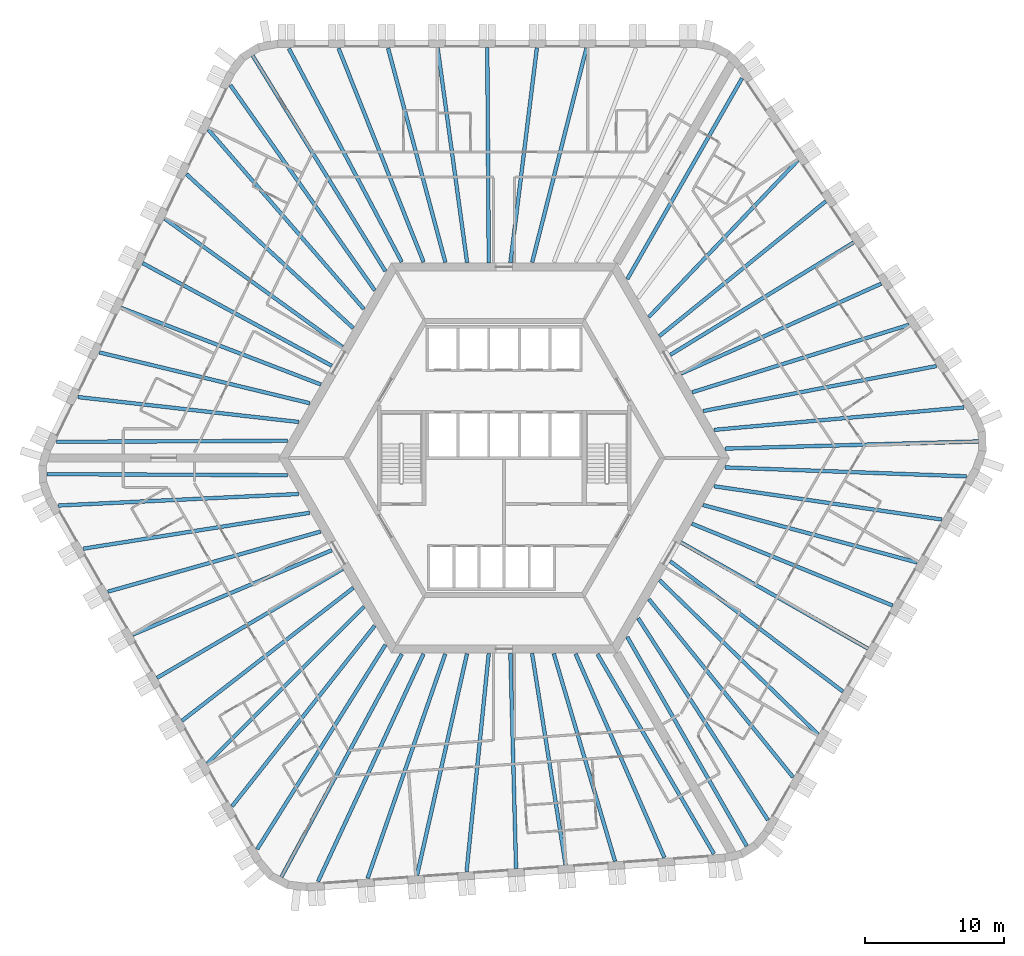
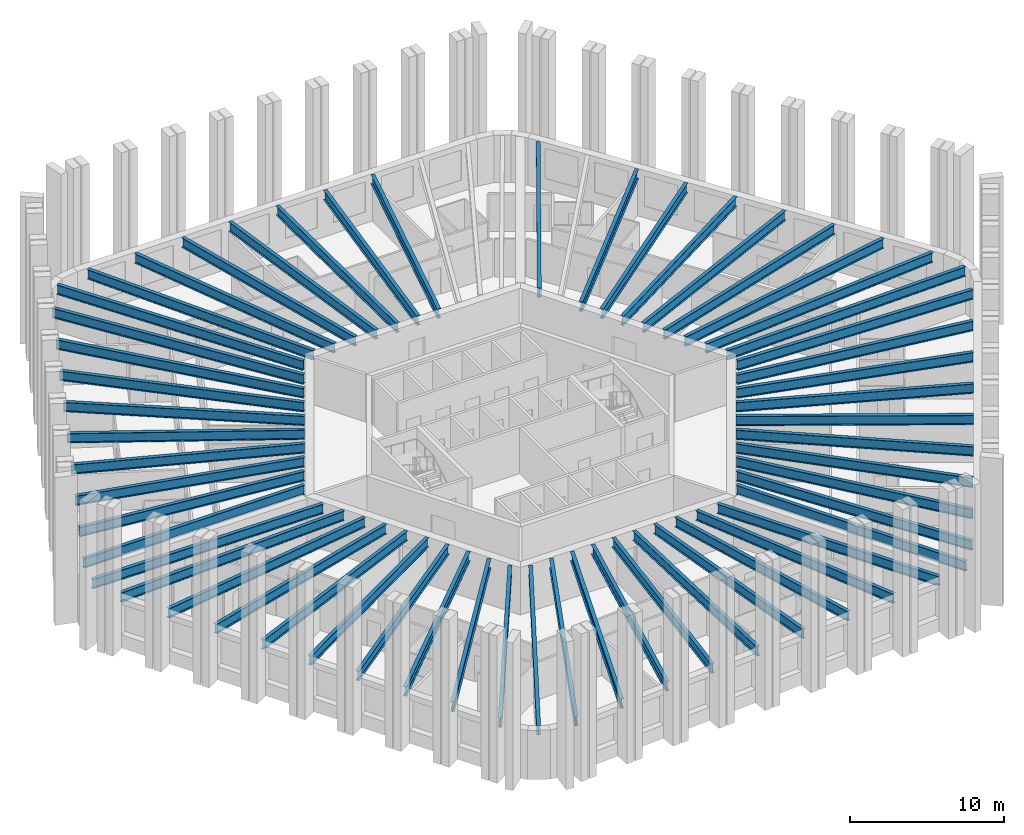
# One storey, part 1 of 12: 56 beams.
"""IFC4 building model written with IfcOpenShell, lengths in metres."""

from ifc_helpers import new_model, si_unit, direction, frame, origin, origin_2d, place, context, subcontext, project, spatial, i_section, extrude, material, material_profile, profile_set, type_object, element, save


model = new_model("IFC4")

# Units and contexts
model_context = context("Model", 3, precision=1e-05, world=origin(), true_north=direction((0.0, 1.0)))
body_context = subcontext(model_context, "Body", "Model", "MODEL_VIEW")
ifc_project = project(units=[si_unit("LENGTHUNIT", "METRE"), si_unit("AREAUNIT", "SQUARE_METRE"), si_unit("VOLUMEUNIT", "CUBIC_METRE"), si_unit("PLANEANGLEUNIT", "RADIAN"), si_unit("MASSUNIT", "GRAM", prefix="KILO")], contexts=[model_context])

# Site, building, storey
site_placement = place(None, origin())
site = spatial("IfcSite", under=ifc_project, at=site_placement, CompositionType="ELEMENT")
building_placement = place(site_placement, origin())
building = spatial("IfcBuilding", under=site, at=building_placement, Name="Tarnside Tower", CompositionType="ELEMENT")
storey_placement = place(building_placement, frame((0.0, 0.0, 37.5)))
storey = spatial("IfcBuildingStorey", under=building, at=storey_placement, Name="L06", CompositionType="ELEMENT", Elevation=37.5)

# Beams
ifc_material = material(Name="Steel S355", Category="steel")
ifc_material_profile_1 = material_profile(ifc_material, i_section(OverallWidth=0.26513671875, OverallDepth=0.75390625, WebThickness=0.0126953125, FlangeThickness=0.017578125, FilletRadius=0.0166015625, at=origin_2d()), Name="UB 762x267x147")
ifc_profile_set_1 = profile_set([ifc_material_profile_1], Name="Steel S355")
beam_type_1 = type_object("IfcBeamType", Name="Floor beam UB 762x267x147", PredefinedType="BEAM", material=ifc_profile_set_1)
beam_1_placement = place(storey_placement, frame((2.3525390625, 29.43017578125, 3.373046875), z_axis=(-0.122329629165, -0.992489527314, 0.0), x_axis=(0.992489527314, -0.122329629165, 0.0)))
element("IfcBeam", 1, at=beam_1_placement, inside=storey, type_object=beam_type_1, Name="Floor beam F1.04", PredefinedType="BEAM", context=body_context, shape_type="SweptSolid", body=[
    extrude(i_section(OverallWidth=0.26513671875, OverallDepth=0.75390625, WebThickness=0.0126953125, FlangeThickness=0.017578125, FilletRadius=0.0166015625, at=origin_2d()), origin(), (0.0, 0.0, 1.0), 15.527099609375),
])
beam_2_placement = place(storey_placement, frame((-1.208984375, 29.449951171875, 3.373046875), z_axis=(0.007000128723, -0.999975498799, 0.0), x_axis=(0.999975498799, 0.007000128723, 0.0)))
element("IfcBeam", 2, at=beam_2_placement, inside=storey, type_object=beam_type_1, Name="Floor beam F1.05", PredefinedType="BEAM", context=body_context, shape_type="SweptSolid", body=[
    extrude(i_section(OverallWidth=0.26513671875, OverallDepth=0.75390625, WebThickness=0.0126953125, FlangeThickness=0.017578125, FilletRadius=0.0166015625, at=origin_2d()), origin(), (0.0, 0.0, 1.0), 15.450439453125),
])
beam_3_placement = place(storey_placement, frame((-4.7705078125, 29.43017578125, 3.373046875), z_axis=(0.136000560933, -0.990708760144, 0.0), x_axis=(0.990708760144, 0.136000560933, 0.0)))
element("IfcBeam", 3, at=beam_3_placement, inside=storey, type_object=beam_type_1, Name="Floor beam F1.06", PredefinedType="BEAM", context=body_context, shape_type="SweptSolid", body=[
    extrude(i_section(OverallWidth=0.26513671875, OverallDepth=0.75390625, WebThickness=0.0126953125, FlangeThickness=0.017578125, FilletRadius=0.0166015625, at=origin_2d()), origin(), (0.0, 0.0, 1.0), 15.554931640625),
])
beam_4_placement = place(storey_placement, frame((-24.348876953125, 17.168212890625, 3.373046875), z_axis=(0.811027744825, -0.585007689799, 0.0), x_axis=(0.585007689799, 0.811027744825, 0.0)))
element("IfcBeam", 4, at=beam_4_placement, inside=storey, type_object=beam_type_1, Name="Floor beam F2.04", PredefinedType="BEAM", context=body_context, shape_type="SweptSolid", body=[
    extrude(i_section(OverallWidth=0.26513671875, OverallDepth=0.75390625, WebThickness=0.0126953125, FlangeThickness=0.017578125, FilletRadius=0.0166015625, at=origin_2d()), origin(), (0.0, 0.0, 1.0), 15.731689453125),
])
beam_5_placement = place(storey_placement, frame((-25.92626953125, 13.978271484375, 3.373046875), z_axis=(0.878894567679, -0.477016078245, 0.0), x_axis=(0.477016078245, 0.878894567679, 0.0)))
element("IfcBeam", 5, at=beam_5_placement, inside=storey, type_object=beam_type_1, Name="Floor beam F2.05", PredefinedType="BEAM", context=body_context, shape_type="SweptSolid", body=[
    extrude(i_section(OverallWidth=0.26513671875, OverallDepth=0.75390625, WebThickness=0.0126953125, FlangeThickness=0.017578125, FilletRadius=0.0166015625, at=origin_2d()), origin(), (0.0, 0.0, 1.0), 15.427490234375),
])
beam_6_placement = place(storey_placement, frame((-27.487548828125, 10.77734375, 3.373046875), z_axis=(0.933617702452, -0.358270827264, 0.0), x_axis=(0.358270827264, 0.933617702452, 0.0)))
element("IfcBeam", 6, at=beam_6_placement, inside=storey, type_object=beam_type_1, Name="Floor beam F2.06", PredefinedType="BEAM", context=body_context, shape_type="SweptSolid", body=[
    extrude(i_section(OverallWidth=0.26513671875, OverallDepth=0.75390625, WebThickness=0.0126953125, FlangeThickness=0.017578125, FilletRadius=0.0166015625, at=origin_2d()), origin(), (0.0, 0.0, 1.0), 15.363037109375),
])
beam_7_placement = place(storey_placement, frame((-29.029296875, 7.572509765625, 3.373046875), z_axis=(0.972101750991, -0.234559556873, 0.0), x_axis=(0.234559556873, 0.972101750991, 0.0)))
element("IfcBeam", 7, at=beam_7_placement, inside=storey, type_object=beam_type_1, Name="Floor beam F2.07", PredefinedType="BEAM", context=body_context, shape_type="SweptSolid", body=[
    extrude(i_section(OverallWidth=0.26513671875, OverallDepth=0.75390625, WebThickness=0.0126953125, FlangeThickness=0.017578125, FilletRadius=0.0166015625, at=origin_2d()), origin(), (0.0, 0.0, 1.0), 15.522216796875),
])
beam_8_placement = place(storey_placement, frame((-26.66357421875, -12.677734375, 3.373046875), z_axis=(0.920684021494, 0.390308765679, 0.0), x_axis=(-0.390308765679, 0.920684021494, 0.0)))
element("IfcBeam", 8, at=beam_8_placement, inside=storey, type_object=beam_type_1, Name="Floor beam F3.04", PredefinedType="BEAM", context=body_context, shape_type="SweptSolid", body=[
    extrude(i_section(OverallWidth=0.26513671875, OverallDepth=0.75390625, WebThickness=0.0126953125, FlangeThickness=0.017578125, FilletRadius=0.0166015625, at=origin_2d()), origin(), (0.0, 0.0, 1.0), 15.52685546875),
])
beam_9_placement = place(storey_placement, frame((-24.89990234375, -15.772216796875, 3.373046875), z_axis=(0.862497502004, 0.506061319443, 0.0), x_axis=(-0.506061319443, 0.862497502004, 0.0)))
element("IfcBeam", 9, at=beam_9_placement, inside=storey, type_object=beam_type_1, Name="Floor beam F3.05", PredefinedType="BEAM", context=body_context, shape_type="SweptSolid", body=[
    extrude(i_section(OverallWidth=0.26513671875, OverallDepth=0.75390625, WebThickness=0.0126953125, FlangeThickness=0.017578125, FilletRadius=0.0166015625, at=origin_2d()), origin(), (0.0, 0.0, 1.0), 15.450439453125),
])
beam_10_placement = place(storey_placement, frame((-23.10205078125, -18.846435546875, 3.373046875), z_axis=(0.789983963813, 0.613127504617, 0.0), x_axis=(-0.613127504617, 0.789983963813, 0.0)))
element("IfcBeam", 10, at=beam_10_placement, inside=storey, type_object=beam_type_1, Name="Floor beam F3.06", PredefinedType="BEAM", context=body_context, shape_type="SweptSolid", body=[
    extrude(i_section(OverallWidth=0.26513671875, OverallDepth=0.75390625, WebThickness=0.0126953125, FlangeThickness=0.017578125, FilletRadius=0.0166015625, at=origin_2d()), origin(), (0.0, 0.0, 1.0), 15.554931640625),
])
beam_11_placement = place(storey_placement, frame((-2.693603515625, -29.6708984375, 3.373046875), z_axis=(0.101123115756, 0.994873919379, 0.0), x_axis=(-0.994873919379, 0.101123115756, 0.0)))
element("IfcBeam", 11, at=beam_11_placement, inside=storey, type_object=beam_type_1, Name="Floor beam F4.04", PredefinedType="BEAM", context=body_context, shape_type="SweptSolid", body=[
    extrude(i_section(OverallWidth=0.26513671875, OverallDepth=0.75390625, WebThickness=0.0126953125, FlangeThickness=0.017578125, FilletRadius=0.0166015625, at=origin_2d()), origin(), (0.0, 0.0, 1.0), 15.7314453125),
])
beam_12_placement = place(storey_placement, frame((0.857666015625, -29.44189453125, 3.373046875), z_axis=(-0.026333316788, 0.999653218085, 0.0), x_axis=(-0.999653218085, -0.026333316788, 0.0)))
element("IfcBeam", 12, at=beam_12_placement, inside=storey, type_object=beam_type_1, Name="Floor beam F4.05", PredefinedType="BEAM", context=body_context, shape_type="SweptSolid", body=[
    extrude(i_section(OverallWidth=0.26513671875, OverallDepth=0.75390625, WebThickness=0.0126953125, FlangeThickness=0.017578125, FilletRadius=0.0166015625, at=origin_2d()), origin(), (0.0, 0.0, 1.0), 15.42724609375),
])
beam_13_placement = place(storey_placement, frame((4.41015625, -29.193603515625, 3.373046875), z_axis=(-0.156513375907, 0.98767583911, 0.0), x_axis=(-0.98767583911, -0.156513375907, 0.0)))
element("IfcBeam", 13, at=beam_13_placement, inside=storey, type_object=beam_type_1, Name="Floor beam F4.06", PredefinedType="BEAM", context=body_context, shape_type="SweptSolid", body=[
    extrude(i_section(OverallWidth=0.26513671875, OverallDepth=0.75390625, WebThickness=0.0126953125, FlangeThickness=0.017578125, FilletRadius=0.0166015625, at=origin_2d()), origin(), (0.0, 0.0, 1.0), 15.36328125),
])
beam_14_placement = place(storey_placement, frame((7.956787109375, -28.926513671875, 3.373046875), z_axis=(-0.282920694328, 0.959143305623, 0.0), x_axis=(-0.959143305623, -0.282920694328, 0.0)))
element("IfcBeam", 14, at=beam_14_placement, inside=storey, type_object=beam_type_1, Name="Floor beam F4.07", PredefinedType="BEAM", context=body_context, shape_type="SweptSolid", body=[
    extrude(i_section(OverallWidth=0.26513671875, OverallDepth=0.75390625, WebThickness=0.0126953125, FlangeThickness=0.017578125, FilletRadius=0.0166015625, at=origin_2d()), origin(), (0.0, 0.0, 1.0), 15.5224609375),
])
beam_15_placement = place(storey_placement, frame((24.31103515625, -16.75244140625, 3.373046875), z_axis=(-0.798361152727, 0.602178935049, 0.0), x_axis=(-0.602178935049, -0.798361152727, 0.0)))
element("IfcBeam", 15, at=beam_15_placement, inside=storey, type_object=beam_type_1, Name="Floor beam F5.04", PredefinedType="BEAM", context=body_context, shape_type="SweptSolid", body=[
    extrude(i_section(OverallWidth=0.26513671875, OverallDepth=0.75390625, WebThickness=0.0126953125, FlangeThickness=0.017578125, FilletRadius=0.0166015625, at=origin_2d()), origin(), (0.0, 0.0, 1.0), 15.527099609375),
])
beam_16_placement = place(storey_placement, frame((26.10888671875, -13.677978515625, 3.373046875), z_axis=(-0.869502520992, 0.493928502911, 0.0), x_axis=(-0.493928502911, -0.869502520992, 0.0)))
element("IfcBeam", 16, at=beam_16_placement, inside=storey, type_object=beam_type_1, Name="Floor beam F5.05", PredefinedType="BEAM", context=body_context, shape_type="SweptSolid", body=[
    extrude(i_section(OverallWidth=0.26513671875, OverallDepth=0.75390625, WebThickness=0.0126953125, FlangeThickness=0.017578125, FilletRadius=0.0166015625, at=origin_2d()), origin(), (0.0, 0.0, 1.0), 15.4501953125),
])
beam_17_placement = place(storey_placement, frame((27.87255859375, -10.58349609375, 3.373046875), z_axis=(-0.925981621163, 0.377568586177, 0.0), x_axis=(-0.377568586177, -0.925981621163, 0.0)))
element("IfcBeam", 17, at=beam_17_placement, inside=storey, type_object=beam_type_1, Name="Floor beam F5.06", PredefinedType="BEAM", context=body_context, shape_type="SweptSolid", body=[
    extrude(i_section(OverallWidth=0.26513671875, OverallDepth=0.75390625, WebThickness=0.0126953125, FlangeThickness=0.017578125, FilletRadius=0.0166015625, at=origin_2d()), origin(), (0.0, 0.0, 1.0), 15.554931640625),
])
beam_18_placement = place(storey_placement, frame((27.04248046875, 12.502685546875, 3.373046875), z_axis=(-0.912146413919, -0.409864513681, 0.0), x_axis=(0.409864513681, -0.912146413919, 0.0)))
element("IfcBeam", 18, at=beam_18_placement, inside=storey, type_object=beam_type_1, Name="Floor beam F6.04", PredefinedType="BEAM", context=body_context, shape_type="SweptSolid", body=[
    extrude(i_section(OverallWidth=0.26513671875, OverallDepth=0.75390625, WebThickness=0.0126953125, FlangeThickness=0.017578125, FilletRadius=0.0166015625, at=origin_2d()), origin(), (0.0, 0.0, 1.0), 15.7314453125),
])
beam_19_placement = place(storey_placement, frame((25.068603515625, 15.463623046875, 3.373046875), z_axis=(-0.852558490017, -0.522631821744, 0.0), x_axis=(0.522631821744, -0.852558490017, 0.0)))
element("IfcBeam", 19, at=beam_19_placement, inside=storey, type_object=beam_type_1, Name="Floor beam F6.05", PredefinedType="BEAM", context=body_context, shape_type="SweptSolid", body=[
    extrude(i_section(OverallWidth=0.26513671875, OverallDepth=0.75390625, WebThickness=0.0126953125, FlangeThickness=0.017578125, FilletRadius=0.0166015625, at=origin_2d()), origin(), (0.0, 0.0, 1.0), 15.42724609375),
])
beam_20_placement = place(storey_placement, frame((23.0771484375, 18.416259765625, 3.373046875), z_axis=(-0.777079423039, -0.629402550272, 0.0), x_axis=(0.629402550272, -0.777079423039, 0.0)))
element("IfcBeam", 20, at=beam_20_placement, inside=storey, type_object=beam_type_1, Name="Floor beam F6.06", PredefinedType="BEAM", context=body_context, shape_type="SweptSolid", body=[
    extrude(i_section(OverallWidth=0.26513671875, OverallDepth=0.75390625, WebThickness=0.0126953125, FlangeThickness=0.017578125, FilletRadius=0.0166015625, at=origin_2d()), origin(), (0.0, 0.0, 1.0), 15.36328125),
])
beam_21_placement = place(storey_placement, frame((21.072509765625, 21.35400390625, 3.373046875), z_axis=(-0.689174694318, -0.724595225427, 0.0), x_axis=(0.724595225427, -0.689174694318, 0.0)))
element("IfcBeam", 21, at=beam_21_placement, inside=storey, type_object=beam_type_1, Name="Floor beam F6.07", PredefinedType="BEAM", context=body_context, shape_type="SweptSolid", body=[
    extrude(i_section(OverallWidth=0.26513671875, OverallDepth=0.75390625, WebThickness=0.0126953125, FlangeThickness=0.017578125, FilletRadius=0.0166015625, at=origin_2d()), origin(), (0.0, 0.0, 1.0), 15.522216796875),
])
ifc_material_profile_2 = material_profile(ifc_material, i_section(OverallWidth=0.2666015625, OverallDepth=0.76220703125, WebThickness=0.014404296875, FlangeThickness=0.021484375, FilletRadius=0.0166015625, at=origin_2d()), Name="UB 762x267x173")
ifc_profile_set_2 = profile_set([ifc_material_profile_2], Name="Steel S355")
beam_type_2 = type_object("IfcBeamType", Name="Floor beam UB 762x267x173", PredefinedType="BEAM", material=ifc_profile_set_2)
beam_22_placement = place(storey_placement, frame((5.909423828125, 29.4111328125, 3.368896484375), z_axis=(-0.245747281389, -0.969333933013, 0.0), x_axis=(0.969333933013, -0.245747281389, 0.0)))
element("IfcBeam", 22, at=beam_22_placement, inside=storey, type_object=beam_type_2, Name="Floor beam F1.03", PredefinedType="BEAM", context=body_context, shape_type="SweptSolid", body=[
    extrude(i_section(OverallWidth=0.2666015625, OverallDepth=0.76220703125, WebThickness=0.014404296875, FlangeThickness=0.021484375, FilletRadius=0.0166015625, at=origin_2d()), origin(), (0.0, 0.0, 1.0), 15.858642578125),
])
beam_23_placement = place(storey_placement, frame((-8.3271484375, 29.411376953125, 3.368896484375), z_axis=(0.258447478572, -0.966025310652, 0.0), x_axis=(0.966025310652, 0.258447478572, 0.0)))
element("IfcBeam", 23, at=beam_23_placement, inside=storey, type_object=beam_type_2, Name="Floor beam F1.07", PredefinedType="BEAM", context=body_context, shape_type="SweptSolid", body=[
    extrude(i_section(OverallWidth=0.2666015625, OverallDepth=0.76220703125, WebThickness=0.014404296875, FlangeThickness=0.021484375, FilletRadius=0.0166015625, at=origin_2d()), origin(), (0.0, 0.0, 1.0), 15.91357421875),
])
beam_24_placement = place(storey_placement, frame((-11.87939453125, 29.394287109375, 3.368896484375), z_axis=(0.369638204477, -0.929175762593, 0.0), x_axis=(0.929175762593, 0.369638204477, 0.0)))
element("IfcBeam", 24, at=beam_24_placement, inside=storey, type_object=beam_type_2, Name="Floor beam F1.08", PredefinedType="BEAM", context=body_context, shape_type="SweptSolid", body=[
    extrude(i_section(OverallWidth=0.2666015625, OverallDepth=0.76220703125, WebThickness=0.014404296875, FlangeThickness=0.021484375, FilletRadius=0.0166015625, at=origin_2d()), origin(), (0.0, 0.0, 1.0), 16.507568359375),
])
beam_25_placement = place(storey_placement, frame((-15.44580078125, 29.37939453125, 3.368896484375), z_axis=(0.467741993634, -0.883865050441, 0.0), x_axis=(0.883865050441, 0.467741993634, 0.0)))
element("IfcBeam", 25, at=beam_25_placement, inside=storey, type_object=beam_type_2, Name="Floor beam F1.09", PredefinedType="BEAM", context=body_context, shape_type="SweptSolid", body=[
    extrude(i_section(OverallWidth=0.2666015625, OverallDepth=0.76220703125, WebThickness=0.014404296875, FlangeThickness=0.021484375, FilletRadius=0.0166015625, at=origin_2d()), origin(), (0.0, 0.0, 1.0), 17.320068359375),
])
beam_26_placement = place(storey_placement, frame((-18.042236328125, 28.8701171875, 3.368896484375), z_axis=(0.524382977035, -0.851482526771, 0.0), x_axis=(0.851482526771, 0.524382977035, 0.0)))
element("IfcBeam", 26, at=beam_26_placement, inside=storey, type_object=beam_type_2, Name="Floor beam C1", PredefinedType="BEAM", context=body_context, shape_type="SweptSolid", body=[
    extrude(i_section(OverallWidth=0.2666015625, OverallDepth=0.76220703125, WebThickness=0.014404296875, FlangeThickness=0.021484375, FilletRadius=0.0166015625, at=origin_2d()), origin(), (0.0, 0.0, 1.0), 18.1728515625),
])
beam_27_placement = place(storey_placement, frame((-19.638671875, 26.75537109375, 3.368896484375), z_axis=(0.575411427849, -0.817864101609, 0.0), x_axis=(0.817864101609, 0.575411427849, 0.0)))
element("IfcBeam", 27, at=beam_27_placement, inside=storey, type_object=beam_type_2, Name="Floor beam F2.01", PredefinedType="BEAM", context=body_context, shape_type="SweptSolid", body=[
    extrude(i_section(OverallWidth=0.2666015625, OverallDepth=0.76220703125, WebThickness=0.014404296875, FlangeThickness=0.021484375, FilletRadius=0.0166015625, at=origin_2d()), origin(), (0.0, 0.0, 1.0), 18.00048828125),
])
beam_28_placement = place(storey_placement, frame((-21.21630859375, 23.554931640625, 3.368896484375), z_axis=(0.654980748073, -0.755645564834, 0.0), x_axis=(0.755645564834, 0.654980748073, 0.0)))
element("IfcBeam", 28, at=beam_28_placement, inside=storey, type_object=beam_type_2, Name="Floor beam F2.02", PredefinedType="BEAM", context=body_context, shape_type="SweptSolid", body=[
    extrude(i_section(OverallWidth=0.2666015625, OverallDepth=0.76220703125, WebThickness=0.014404296875, FlangeThickness=0.021484375, FilletRadius=0.0166015625, at=origin_2d()), origin(), (0.0, 0.0, 1.0), 17.0302734375),
])
beam_29_placement = place(storey_placement, frame((-22.7890625, 20.368408203125, 3.368896484375), z_axis=(0.734715474517, -0.678375391288, 0.0), x_axis=(0.678375391288, 0.734715474517, 0.0)))
element("IfcBeam", 29, at=beam_29_placement, inside=storey, type_object=beam_type_2, Name="Floor beam F2.03", PredefinedType="BEAM", context=body_context, shape_type="SweptSolid", body=[
    extrude(i_section(OverallWidth=0.2666015625, OverallDepth=0.76220703125, WebThickness=0.014404296875, FlangeThickness=0.021484375, FilletRadius=0.0166015625, at=origin_2d()), origin(), (0.0, 0.0, 1.0), 16.2802734375),
])
beam_30_placement = place(storey_placement, frame((-30.570556640625, 4.372802734375, 3.368896484375), z_axis=(0.993687302776, -0.112185312326, 0.0), x_axis=(0.112185312326, 0.993687302776, 0.0)))
element("IfcBeam", 30, at=beam_30_placement, inside=storey, type_object=beam_type_2, Name="Floor beam F2.08", PredefinedType="BEAM", context=body_context, shape_type="SweptSolid", body=[
    extrude(i_section(OverallWidth=0.2666015625, OverallDepth=0.76220703125, WebThickness=0.014404296875, FlangeThickness=0.021484375, FilletRadius=0.0166015625, at=origin_2d()), origin(), (0.0, 0.0, 1.0), 15.934326171875),
])
beam_31_placement = place(storey_placement, frame((-32.119384765625, 1.162109375, 3.368896484375), z_axis=(0.999990508787, 0.004356872304, 0.0), x_axis=(-0.004356872304, 0.999990508787, 0.0)))
element("IfcBeam", 31, at=beam_31_placement, inside=storey, type_object=beam_type_2, Name="Floor beam F2.09", PredefinedType="BEAM", context=body_context, shape_type="SweptSolid", body=[
    extrude(i_section(OverallWidth=0.2666015625, OverallDepth=0.76220703125, WebThickness=0.014404296875, FlangeThickness=0.021484375, FilletRadius=0.0166015625, at=origin_2d()), origin(), (0.0, 0.0, 1.0), 16.586669921875),
])
beam_32_placement = place(storey_placement, frame((-32.80712890625, -1.1572265625, 3.368896484375), z_axis=(0.999990027056, -0.004466070929, 0.0), x_axis=(0.004466070929, 0.999990027056, 0.0)))
element("IfcBeam", 32, at=beam_32_placement, inside=storey, type_object=beam_type_2, Name="Floor beam C2", PredefinedType="BEAM", context=body_context, shape_type="SweptSolid", body=[
    extrude(i_section(OverallWidth=0.2666015625, OverallDepth=0.76220703125, WebThickness=0.014404296875, FlangeThickness=0.021484375, FilletRadius=0.0166015625, at=origin_2d()), origin(), (0.0, 0.0, 1.0), 17.2744140625),
])
beam_33_placement = place(storey_placement, frame((-31.95703125, -3.406494140625, 3.368896484375), z_axis=(0.998853818522, 0.047864905982, 0.0), x_axis=(-0.047864905982, 0.998853818522, 0.0)))
element("IfcBeam", 33, at=beam_33_placement, inside=storey, type_object=beam_type_2, Name="Floor beam F3.01", PredefinedType="BEAM", context=body_context, shape_type="SweptSolid", body=[
    extrude(i_section(OverallWidth=0.2666015625, OverallDepth=0.76220703125, WebThickness=0.014404296875, FlangeThickness=0.021484375, FilletRadius=0.0166015625, at=origin_2d()), origin(), (0.0, 0.0, 1.0), 17.2197265625),
])
beam_34_placement = place(storey_placement, frame((-30.18701171875, -6.502685546875, 3.368896484375), z_axis=(0.987678477078, 0.156496728136, 0.0), x_axis=(-0.156496728136, 0.987678477078, 0.0)))
element("IfcBeam", 34, at=beam_34_placement, inside=storey, type_object=beam_type_2, Name="Floor beam F3.02", PredefinedType="BEAM", context=body_context, shape_type="SweptSolid", body=[
    extrude(i_section(OverallWidth=0.2666015625, OverallDepth=0.76220703125, WebThickness=0.014404296875, FlangeThickness=0.021484375, FilletRadius=0.0166015625, at=origin_2d()), origin(), (0.0, 0.0, 1.0), 16.4287109375),
])
beam_35_placement = place(storey_placement, frame((-28.425537109375, -9.587890625, 3.368896484375), z_axis=(0.962342240503, 0.271840784547, 0.0), x_axis=(-0.271840784547, 0.962342240503, 0.0)))
element("IfcBeam", 35, at=beam_35_placement, inside=storey, type_object=beam_type_2, Name="Floor beam F3.03", PredefinedType="BEAM", context=body_context, shape_type="SweptSolid", body=[
    extrude(i_section(OverallWidth=0.2666015625, OverallDepth=0.76220703125, WebThickness=0.014404296875, FlangeThickness=0.021484375, FilletRadius=0.0166015625, at=origin_2d()), origin(), (0.0, 0.0, 1.0), 15.858642578125),
])
beam_36_placement = place(storey_placement, frame((-21.307373046875, -21.917236328125, 3.368896484375), z_axis=(0.707367544857, 0.706845921318, 0.0), x_axis=(-0.706845921318, 0.707367544857, 0.0)))
element("IfcBeam", 36, at=beam_36_placement, inside=storey, type_object=beam_type_2, Name="Floor beam F3.07", PredefinedType="BEAM", context=body_context, shape_type="SweptSolid", body=[
    extrude(i_section(OverallWidth=0.2666015625, OverallDepth=0.76220703125, WebThickness=0.014404296875, FlangeThickness=0.021484375, FilletRadius=0.0166015625, at=origin_2d()), origin(), (0.0, 0.0, 1.0), 15.913330078125),
])
beam_37_placement = place(storey_placement, frame((-19.516357421875, -24.985107421875, 3.368896484375), z_axis=(0.619872995007, 0.784702153725, 0.0), x_axis=(-0.784702153725, 0.619872995007, 0.0)))
element("IfcBeam", 37, at=beam_37_placement, inside=storey, type_object=beam_type_2, Name="Floor beam F3.08", PredefinedType="BEAM", context=body_context, shape_type="SweptSolid", body=[
    extrude(i_section(OverallWidth=0.2666015625, OverallDepth=0.76220703125, WebThickness=0.014404296875, FlangeThickness=0.021484375, FilletRadius=0.0166015625, at=origin_2d()), origin(), (0.0, 0.0, 1.0), 16.507568359375),
])
beam_38_placement = place(storey_placement, frame((-17.72021484375, -28.066162109375, 3.368896484375), z_axis=(0.531583085704, 0.847006152866, 0.0), x_axis=(-0.847006152866, 0.531583085704, 0.0)))
element("IfcBeam", 38, at=beam_38_placement, inside=storey, type_object=beam_type_2, Name="Floor beam F3.09", PredefinedType="BEAM", context=body_context, shape_type="SweptSolid", body=[
    extrude(i_section(OverallWidth=0.2666015625, OverallDepth=0.76220703125, WebThickness=0.014404296875, FlangeThickness=0.021484375, FilletRadius=0.0166015625, at=origin_2d()), origin(), (0.0, 0.0, 1.0), 17.320068359375),
])
beam_39_placement = place(storey_placement, frame((-15.981201171875, -30.060302734375, 3.368896484375), z_axis=(0.475208200571, 0.879873380726, 0.0), x_axis=(-0.879873380726, 0.475208200571, 0.0)))
element("IfcBeam", 39, at=beam_39_placement, inside=storey, type_object=beam_type_2, Name="Floor beam C3", PredefinedType="BEAM", context=body_context, shape_type="SweptSolid", body=[
    extrude(i_section(OverallWidth=0.2666015625, OverallDepth=0.76220703125, WebThickness=0.014404296875, FlangeThickness=0.021484375, FilletRadius=0.0166015625, at=origin_2d()), origin(), (0.0, 0.0, 1.0), 18.173095703125),
])
beam_40_placement = place(storey_placement, frame((-13.3515625, -30.38525390625, 3.368896484375), z_axis=(0.42059199668, 0.907249895193, 0.0), x_axis=(-0.907249895193, 0.42059199668, 0.0)))
element("IfcBeam", 40, at=beam_40_placement, inside=storey, type_object=beam_type_2, Name="Floor beam F4.01", PredefinedType="BEAM", context=body_context, shape_type="SweptSolid", body=[
    extrude(i_section(OverallWidth=0.2666015625, OverallDepth=0.76220703125, WebThickness=0.014404296875, FlangeThickness=0.021484375, FilletRadius=0.0166015625, at=origin_2d()), origin(), (0.0, 0.0, 1.0), 18.000244140625),
])
beam_41_placement = place(storey_placement, frame((-9.791015625, -30.151123046875, 3.368896484375), z_axis=(0.326912128872, 0.945054739153, 0.0), x_axis=(-0.945054739153, 0.326912128872, 0.0)))
element("IfcBeam", 41, at=beam_41_placement, inside=storey, type_object=beam_type_2, Name="Floor beam F4.02", PredefinedType="BEAM", context=body_context, shape_type="SweptSolid", body=[
    extrude(i_section(OverallWidth=0.2666015625, OverallDepth=0.76220703125, WebThickness=0.014404296875, FlangeThickness=0.021484375, FilletRadius=0.0166015625, at=origin_2d()), origin(), (0.0, 0.0, 1.0), 17.0302734375),
])
beam_42_placement = place(storey_placement, frame((-6.2451171875, -29.920166015625, 3.368896484375), z_axis=(0.220139818673, 0.975468328668, 0.0), x_axis=(-0.975468328668, 0.220139818673, 0.0)))
element("IfcBeam", 42, at=beam_42_placement, inside=storey, type_object=beam_type_2, Name="Floor beam F4.03", PredefinedType="BEAM", context=body_context, shape_type="SweptSolid", body=[
    extrude(i_section(OverallWidth=0.2666015625, OverallDepth=0.76220703125, WebThickness=0.014404296875, FlangeThickness=0.021484375, FilletRadius=0.0166015625, at=origin_2d()), origin(), (0.0, 0.0, 1.0), 16.280517578125),
])
beam_43_placement = place(storey_placement, frame((11.498291015625, -28.6611328125, 3.368896484375), z_axis=(-0.399695682658, 0.916647893831, 0.0), x_axis=(-0.916647893831, -0.399695682658, 0.0)))
element("IfcBeam", 43, at=beam_43_placement, inside=storey, type_object=beam_type_2, Name="Floor beam F4.08", PredefinedType="BEAM", context=body_context, shape_type="SweptSolid", body=[
    extrude(i_section(OverallWidth=0.2666015625, OverallDepth=0.76220703125, WebThickness=0.014404296875, FlangeThickness=0.021484375, FilletRadius=0.0166015625, at=origin_2d()), origin(), (0.0, 0.0, 1.0), 15.934326171875),
])
beam_44_placement = place(storey_placement, frame((15.05322265625, -28.3974609375, 3.368896484375), z_axis=(-0.503758455062, 0.86384455717, 0.0), x_axis=(-0.86384455717, -0.503758455062, 0.0)))
element("IfcBeam", 44, at=beam_44_placement, inside=storey, type_object=beam_type_2, Name="Floor beam F4.09", PredefinedType="BEAM", context=body_context, shape_type="SweptSolid", body=[
    extrude(i_section(OverallWidth=0.2666015625, OverallDepth=0.76220703125, WebThickness=0.014404296875, FlangeThickness=0.021484375, FilletRadius=0.0166015625, at=origin_2d()), origin(), (0.0, 0.0, 1.0), 16.586669921875),
])
beam_45_placement = place(storey_placement, frame((17.40576171875, -27.833251953125, 3.368896484375), z_axis=(-0.496126762138, 0.868250099851, 0.0), x_axis=(-0.868250099851, -0.496126762138, 0.0)))
element("IfcBeam", 45, at=beam_45_placement, inside=storey, type_object=beam_type_2, Name="Floor beam C4", PredefinedType="BEAM", context=body_context, shape_type="SweptSolid", body=[
    extrude(i_section(OverallWidth=0.2666015625, OverallDepth=0.76220703125, WebThickness=0.014404296875, FlangeThickness=0.021484375, FilletRadius=0.0166015625, at=origin_2d()), origin(), (0.0, 0.0, 1.0), 17.2744140625),
])
beam_46_placement = place(storey_placement, frame((18.9287109375, -25.972412109375, 3.368896484375), z_axis=(-0.540872954463, 0.841104302171, 0.0), x_axis=(-0.841104302171, -0.540872954463, 0.0)))
element("IfcBeam", 46, at=beam_46_placement, inside=storey, type_object=beam_type_2, Name="Floor beam F5.01", PredefinedType="BEAM", context=body_context, shape_type="SweptSolid", body=[
    extrude(i_section(OverallWidth=0.2666015625, OverallDepth=0.76220703125, WebThickness=0.014404296875, FlangeThickness=0.021484375, FilletRadius=0.0166015625, at=origin_2d()), origin(), (0.0, 0.0, 1.0), 17.2197265625),
])
beam_47_placement = place(storey_placement, frame((20.72509765625, -22.89111328125, 3.368896484375), z_axis=(-0.62939015525, 0.777089462336, 0.0), x_axis=(-0.777089462336, -0.62939015525, 0.0)))
element("IfcBeam", 47, at=beam_47_placement, inside=storey, type_object=beam_type_2, Name="Floor beam F5.02", PredefinedType="BEAM", context=body_context, shape_type="SweptSolid", body=[
    extrude(i_section(OverallWidth=0.2666015625, OverallDepth=0.76220703125, WebThickness=0.014404296875, FlangeThickness=0.021484375, FilletRadius=0.0166015625, at=origin_2d()), origin(), (0.0, 0.0, 1.0), 16.4287109375),
])
beam_48_placement = place(storey_placement, frame((22.51611328125, -19.8232421875, 3.368896484375), z_axis=(-0.716594696052, 0.697489814686, 0.0), x_axis=(-0.697489814686, -0.716594696052, 0.0)))
element("IfcBeam", 48, at=beam_48_placement, inside=storey, type_object=beam_type_2, Name="Floor beam F5.03", PredefinedType="BEAM", context=body_context, shape_type="SweptSolid", body=[
    extrude(i_section(OverallWidth=0.2666015625, OverallDepth=0.76220703125, WebThickness=0.014404296875, FlangeThickness=0.021484375, FilletRadius=0.0166015625, at=origin_2d()), origin(), (0.0, 0.0, 1.0), 15.858642578125),
])
beam_49_placement = place(storey_placement, frame((29.634521484375, -7.494140625, 3.368896484375), z_axis=(-0.965827851395, 0.259184415946, 0.0), x_axis=(-0.259184415946, -0.965827851395, 0.0)))
element("IfcBeam", 49, at=beam_49_placement, inside=storey, type_object=beam_type_2, Name="Floor beam F5.07", PredefinedType="BEAM", context=body_context, shape_type="SweptSolid", body=[
    extrude(i_section(OverallWidth=0.2666015625, OverallDepth=0.76220703125, WebThickness=0.014404296875, FlangeThickness=0.021484375, FilletRadius=0.0166015625, at=origin_2d()), origin(), (0.0, 0.0, 1.0), 15.913330078125),
])
beam_50_placement = place(storey_placement, frame((31.39599609375, -4.4091796875, 3.368896484375), z_axis=(-0.989507887412, 0.144478859177, 0.0), x_axis=(-0.144478859177, -0.989507887412, 0.0)))
element("IfcBeam", 50, at=beam_50_placement, inside=storey, type_object=beam_type_2, Name="Floor beam F5.08", PredefinedType="BEAM", context=body_context, shape_type="SweptSolid", body=[
    extrude(i_section(OverallWidth=0.2666015625, OverallDepth=0.76220703125, WebThickness=0.014404296875, FlangeThickness=0.021484375, FilletRadius=0.0166015625, at=origin_2d()), origin(), (0.0, 0.0, 1.0), 16.507568359375),
])
beam_51_placement = place(storey_placement, frame((33.166259765625, -1.31298828125, 3.368896484375), z_axis=(-0.999320941149, 0.036846391708, 0.0), x_axis=(-0.036846391708, -0.999320941149, 0.0)))
element("IfcBeam", 51, at=beam_51_placement, inside=storey, type_object=beam_type_2, Name="Floor beam F5.09", PredefinedType="BEAM", context=body_context, shape_type="SweptSolid", body=[
    extrude(i_section(OverallWidth=0.2666015625, OverallDepth=0.76220703125, WebThickness=0.014404296875, FlangeThickness=0.021484375, FilletRadius=0.0166015625, at=origin_2d()), origin(), (0.0, 0.0, 1.0), 17.320068359375),
])
beam_52_placement = place(storey_placement, frame((34.0234375, 1.18994140625, 3.368896484375), z_axis=(-0.999597013499, -0.028386803343, 0.0), x_axis=(0.028386803343, -0.999597013499, 0.0)))
element("IfcBeam", 52, at=beam_52_placement, inside=storey, type_object=beam_type_2, Name="Floor beam C5", PredefinedType="BEAM", context=body_context, shape_type="SweptSolid", body=[
    extrude(i_section(OverallWidth=0.2666015625, OverallDepth=0.76220703125, WebThickness=0.014404296875, FlangeThickness=0.021484375, FilletRadius=0.0166015625, at=origin_2d()), origin(), (0.0, 0.0, 1.0), 18.1728515625),
])
beam_53_placement = place(storey_placement, frame((32.990234375, 3.6298828125, 3.368896484375), z_axis=(-0.995997485142, -0.089381259731, 0.0), x_axis=(0.089381259731, -0.995997485142, 0.0)))
element("IfcBeam", 53, at=beam_53_placement, inside=storey, type_object=beam_type_2, Name="Floor beam F6.01", PredefinedType="BEAM", context=body_context, shape_type="SweptSolid", body=[
    extrude(i_section(OverallWidth=0.2666015625, OverallDepth=0.76220703125, WebThickness=0.014404296875, FlangeThickness=0.021484375, FilletRadius=0.0166015625, at=origin_2d()), origin(), (0.0, 0.0, 1.0), 18.000244140625),
])
beam_54_placement = place(storey_placement, frame((31.007080078125, 6.596435546875, 3.368896484375), z_axis=(-0.981896564922, -0.189417886679, 0.0), x_axis=(0.189417886679, -0.981896564922, 0.0)))
element("IfcBeam", 54, at=beam_54_placement, inside=storey, type_object=beam_type_2, Name="Floor beam F6.02", PredefinedType="BEAM", context=body_context, shape_type="SweptSolid", body=[
    extrude(i_section(OverallWidth=0.2666015625, OverallDepth=0.76220703125, WebThickness=0.014404296875, FlangeThickness=0.021484375, FilletRadius=0.0166015625, at=origin_2d()), origin(), (0.0, 0.0, 1.0), 17.0302734375),
])
beam_55_placement = place(storey_placement, frame((29.0341796875, 9.5517578125, 3.368896484375), z_axis=(-0.954846945108, -0.297098151152, 0.0), x_axis=(0.297098151152, -0.954846945108, 0.0)))
element("IfcBeam", 55, at=beam_55_placement, inside=storey, type_object=beam_type_2, Name="Floor beam F6.03", PredefinedType="BEAM", context=body_context, shape_type="SweptSolid", body=[
    extrude(i_section(OverallWidth=0.2666015625, OverallDepth=0.76220703125, WebThickness=0.014404296875, FlangeThickness=0.021484375, FilletRadius=0.0166015625, at=origin_2d()), origin(), (0.0, 0.0, 1.0), 16.280517578125),
])
beam_56_placement = place(storey_placement, frame((17.066162109375, 27.235107421875, 3.368896484375), z_axis=(-0.49622611841, -0.868193319145, 0.0), x_axis=(0.868193319145, -0.49622611841, 0.0)))
element("IfcBeam", 56, at=beam_56_placement, inside=storey, type_object=beam_type_2, Name="Floor beam F6.09", PredefinedType="BEAM", context=body_context, shape_type="SweptSolid", body=[
    extrude(i_section(OverallWidth=0.2666015625, OverallDepth=0.76220703125, WebThickness=0.014404296875, FlangeThickness=0.021484375, FilletRadius=0.0166015625, at=origin_2d()), origin(), (0.0, 0.0, 1.0), 16.586669921875),
])

save(model, "model.ifc")
